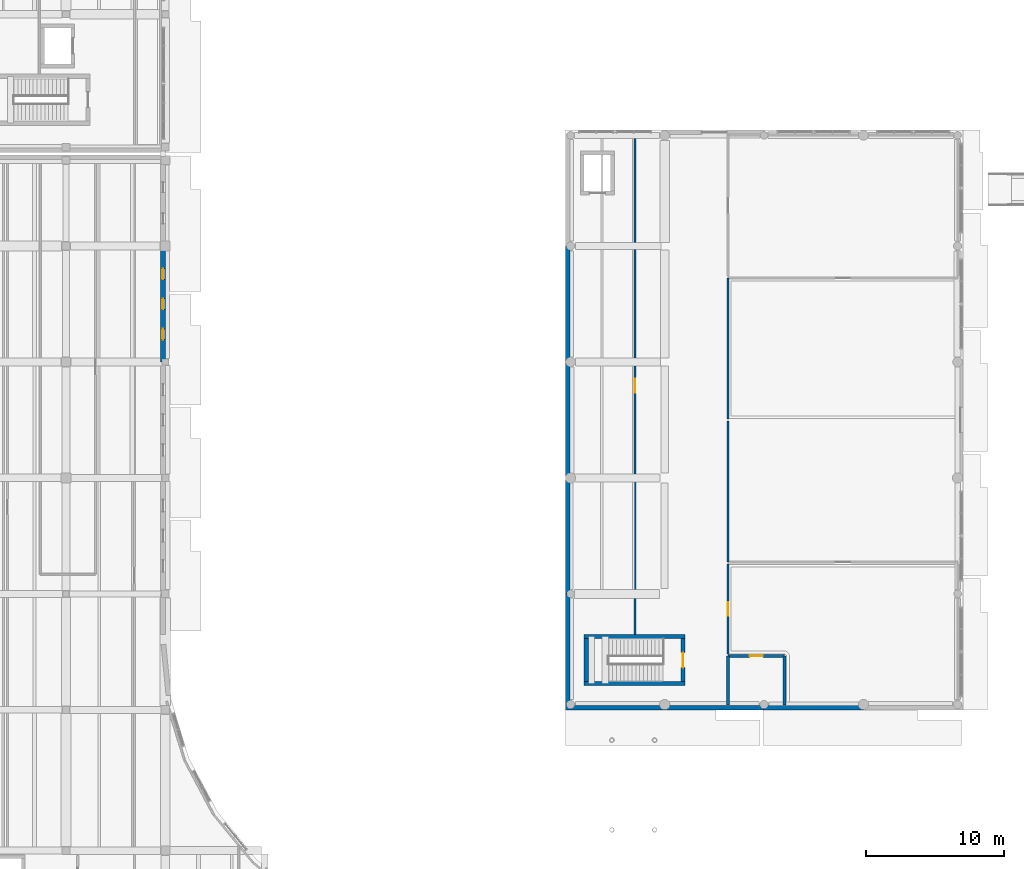
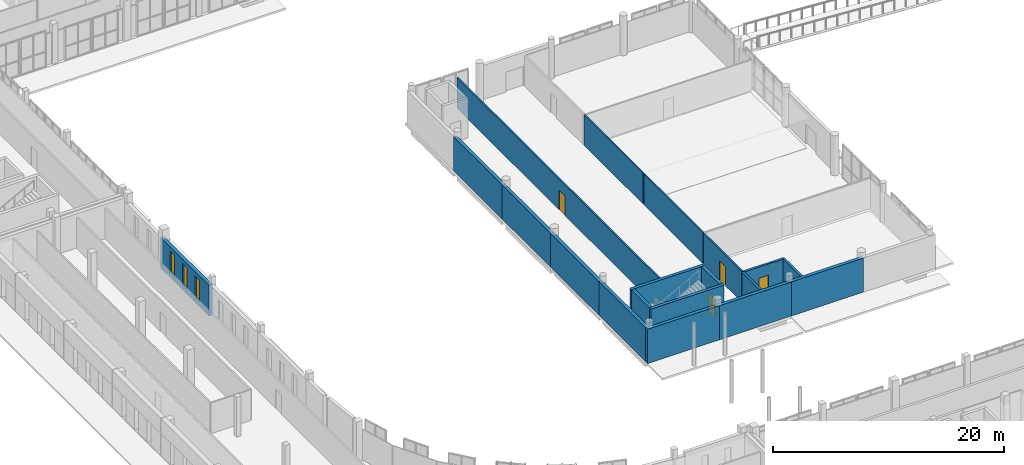
# One storey, part 52 of 77: 19 walls, 4 doors, 3 windows, 7 openings.
"""IFC4 building model written with IfcOpenShell, lengths in metres."""

from ifc_helpers import new_model, si_unit, direction, frame, frame_2d, origin, place, context, subcontext, project, spatial, rectangle, extrude, material, layer, layer_set, type_object, element, fill, save


model = new_model("IFC4")

# Units and contexts
model_context = context("Model", 3, precision=1e-05, world=origin(), true_north=direction((0.0, 1.0)))
body_context = subcontext(model_context, "Body", "Model", "MODEL_VIEW")
ifc_project = project(units=[si_unit("LENGTHUNIT", "METRE"), si_unit("AREAUNIT", "SQUARE_METRE"), si_unit("VOLUMEUNIT", "CUBIC_METRE"), si_unit("PLANEANGLEUNIT", "RADIAN"), si_unit("MASSUNIT", "GRAM", prefix="KILO")], contexts=[model_context])

# Site, building, storey
site_placement = place(None, origin())
site = spatial("IfcSite", under=ifc_project, at=site_placement, CompositionType="ELEMENT")
building_placement = place(site_placement, origin())
building = spatial("IfcBuilding", under=site, at=building_placement, Name="Vardoun Plaza Health Centre", CompositionType="ELEMENT")
storey_placement = place(building_placement, origin())
storey = spatial("IfcBuildingStorey", under=building, at=storey_placement, Name="L00", CompositionType="ELEMENT", Elevation=0.0)

# Walls
ifc_material_1 = material(Name="Concrete C40/50", Category="concrete")
ifc_layer_1 = layer(ifc_material_1, 0.300048828125)
ifc_layer_set_1 = layer_set([ifc_layer_1], Name="Concrete C40/50")
wall_type_1 = type_object("IfcWallType", Name="SW-01", PredefinedType="SHEAR", material=ifc_layer_set_1)
wall_1_placement = place(storey_placement, frame((56.550048828125, 38.199951171875, 0.0), z_axis=(0.0, 0.0, 1.0), x_axis=(-1.0, 0.0, 0.0)))
element("IfcWall", 1, at=wall_1_placement, inside=storey, type_object=wall_type_1, Name="Core C5 L00 Shear Wall S", PredefinedType="SHEAR", context=body_context, shape_type="SweptSolid", body=[
    extrude(rectangle(XDim=7.300048828125, YDim=0.300048828125, at=frame_2d((3.64990234375, 0.0))), origin(), (0.0, 0.0, 1.0), 4.219970703125),
])
wall_2_placement = place(storey_placement, frame((49.39990234375, 38.35009765625, 0.0), z_axis=(0.0, 0.0, 1.0), x_axis=(0.0, 1.0, 0.0)))
element("IfcWall", 2, at=wall_2_placement, inside=storey, type_object=wall_type_1, Name="Core C5 L00 Shear Wall W", PredefinedType="SHEAR", context=body_context, shape_type="SweptSolid", body=[
    extrude(rectangle(XDim=3.099853515625, YDim=0.300048828125, at=frame_2d((1.5498046875, 0.0))), origin(), (0.0, 0.0, 1.0), 4.219970703125),
])
wall_3_placement = place(storey_placement, frame((49.25, 41.60009765625, 0.0), z_axis=(0.0, 0.0, 1.0), x_axis=(1.0, 0.0, 0.0)))
element("IfcWall", 3, at=wall_3_placement, inside=storey, type_object=wall_type_1, Name="Core C5 L00 Shear Wall N", PredefinedType="SHEAR", context=body_context, shape_type="SweptSolid", body=[
    extrude(rectangle(XDim=7.300048828125, YDim=0.300048828125, at=frame_2d((3.64990234375, 0.0))), origin(), (0.0, 0.0, 1.0), 4.219970703125),
])

# Wall, opening, door
wall_4_placement = place(storey_placement, frame((56.39990234375, 41.449951171875, 0.0), z_axis=(0.0, 0.0, 1.0), x_axis=(0.0, -1.0, 0.0)))
wall_4 = element("IfcWall", 4, at=wall_4_placement, inside=storey, type_object=wall_type_1, Name="Core C5 L00 Shear Wall E", PredefinedType="SHEAR", context=body_context, shape_type="SweptSolid", body=[
    extrude(rectangle(XDim=3.099853515625, YDim=0.300048828125, at=frame_2d((1.5498046875, 0.0))), origin(), (0.0, 0.0, 1.0), 4.219970703125),
])
opening_1_placement = place(wall_4_placement, frame((1.0, 0.0, 0.0)))
opening_1 = element("IfcOpeningElement", 5, at=opening_1_placement, cuts=wall_4, Name="Opening SD-C5-L00", PredefinedType="OPENING", context=body_context, shape_type="SweptSolid", body=[
    extrude(rectangle(XDim=1.10009765625, YDim=2.050048828125, at=frame_2d((0.550048828125, 1.02490234375))), frame((0.0, 0.14990234375, 0.0), z_axis=(0.0, -1.0, 0.0), x_axis=(1.0, 0.0, 0.0)), (0.0, 0.0, 1.0), 0.300048828125),
])
ifc_material_2 = material(Name="Brushed Stainless Steel Grade 316L", Category="steel")
door_type_1 = type_object("IfcDoorType", Name="FD-01", OperationType="NOTDEFINED", PredefinedType="DOOR", material=ifc_material_2)
door_1_placement = place(opening_1_placement, origin())
door_1 = element("IfcDoor", 6, at=door_1_placement, inside=storey, type_object=door_type_1, Name="Stair C5 L00 Fire Door", OperationType="SINGLE_SWING_LEFT", OverallHeight=2.050048828125, OverallWidth=1.10009765625, PredefinedType="DOOR", context=body_context, shape_type="SweptSolid", body=[
    extrude(rectangle(XDim=1.10009765625, YDim=2.050048828125, at=frame_2d((0.550048828125, 1.02490234375))), frame((0.0, 0.02490234375, 0.0), z_axis=(0.0, -1.0, 0.0), x_axis=(1.0, 0.0, 0.0)), (0.0, 0.0, 1.0), 0.050048828125),
])
fill(opening_1, door_1)

# Walls
ifc_material_3 = material(Name="Pale Limestone Concrete C35/45", Category="masonry")
ifc_layer_2 = layer(ifc_material_3, 0.330078125)
ifc_layer_set_2 = layer_set([ifc_layer_2], Name="Pale Limestone Concrete C35/45")
wall_type_2 = type_object("IfcWallType", Name="EW-02", PredefinedType="SOLIDWALL", material=ifc_layer_set_2)
for number, where, z_axis, x_axis, name in (
    (7, (69.47998046875, 36.465087890625, 0.0), (0.0, 0.0, 1.0), (-1.0, 0.0, 0.0), "V1 L00 Exterior Wall EW-V1-022"),
    (8, (62.280029296875, 36.465087890625, 0.0), (0.0, 0.0, 1.0), (-1.0, 0.0, 0.0), "V1 L00 Exterior Wall EW-V1-023"),
):
    element("IfcWall", number, at=place(storey_placement, frame(where, z_axis=z_axis, x_axis=x_axis)), inside=storey, type_object=wall_type_2, Name=name, PredefinedType="SOLIDWALL", context=body_context, shape_type="SweptSolid", body=[
        extrude(rectangle(XDim=7.199951171875, YDim=0.330078125, at=frame_2d((3.60009765625, 0.0))), origin(), (0.0, 0.0, 1.0), 3.60498046875),
    ])
wall_5_placement = place(storey_placement, frame((55.080078125, 36.465087890625, 0.0), z_axis=(0.0, 0.0, 1.0), x_axis=(-1.0, 0.0, 0.0)))
element("IfcWall", 9, at=wall_5_placement, inside=storey, type_object=wall_type_2, Name="V1 L00 Exterior Wall EW-V1-024", PredefinedType="SOLIDWALL", context=body_context, shape_type="SweptSolid", body=[
    extrude(rectangle(XDim=7.2001953125, YDim=0.330078125, at=frame_2d((3.60009765625, 0.0))), origin(), (0.0, 0.0, 1.0), 3.625),
])
wall_6_placement = place(storey_placement, frame((48.044921875, 36.6298828125, 0.0), z_axis=(0.0, 0.0, 1.0), x_axis=(0.0, 1.0, 0.0)))
element("IfcWall", 10, at=wall_6_placement, inside=storey, type_object=wall_type_2, Name="V1 L00 Exterior Wall EW-V1-025", PredefinedType="SOLIDWALL", context=body_context, shape_type="SweptSolid", body=[
    extrude(rectangle(XDim=8.070068359375, YDim=0.330078125, at=frame_2d((4.03515625, 0.0))), origin(), (0.0, 0.0, 1.0), 3.5849609375),
])
wall_7_placement = place(storey_placement, frame((48.044921875, 44.699951171875, 0.0), z_axis=(0.0, 0.0, 1.0), x_axis=(0.0, 1.0, 0.0)))
element("IfcWall", 11, at=wall_7_placement, inside=storey, type_object=wall_type_2, Name="V1 L00 Exterior Wall EW-V1-026", PredefinedType="SOLIDWALL", context=body_context, shape_type="SweptSolid", body=[
    extrude(rectangle(XDim=8.400146484375, YDim=0.330078125, at=frame_2d((4.2001953125, 0.0))), origin(), (0.0, 0.0, 1.0), 3.5849609375),
])
wall_8_placement = place(storey_placement, frame((48.044921875, 53.10009765625, 0.0), z_axis=(0.0, 0.0, 1.0), x_axis=(0.0, 1.0, 0.0)))
element("IfcWall", 12, at=wall_8_placement, inside=storey, type_object=wall_type_2, Name="V1 L00 Exterior Wall EW-V1-027", PredefinedType="SOLIDWALL", context=body_context, shape_type="SweptSolid", body=[
    extrude(rectangle(XDim=8.39990234375, YDim=0.330078125, at=frame_2d((4.199951171875, 0.0))), origin(), (0.0, 0.0, 1.0), 3.60498046875),
])
wall_9_placement = place(storey_placement, frame((48.044921875, 61.5, 0.0), z_axis=(0.0, 0.0, 1.0), x_axis=(0.0, 1.0, 0.0)))
element("IfcWall", 13, at=wall_9_placement, inside=storey, type_object=wall_type_2, Name="V1 L00 Exterior Wall EW-V1-028", PredefinedType="SOLIDWALL", context=body_context, shape_type="SweptSolid", body=[
    extrude(rectangle(XDim=8.39990234375, YDim=0.330078125, at=frame_2d((4.199951171875, 0.0))), origin(), (0.0, 0.0, 1.0), 3.625),
])

# Wall, openings, windows
ifc_material_4 = material(Name="Pale Limestone Concrete C35/45", Category="masonry")
ifc_layer_3 = layer(ifc_material_4, 0.344970703125)
ifc_layer_set_3 = layer_set([ifc_layer_3], Name="Pale Limestone Concrete C35/45")
wall_type_3 = type_object("IfcWallType", Name="EW-01", PredefinedType="SOLIDWALL", material=ifc_layer_set_3)
wall_10_placement = place(storey_placement, frame((18.7275390625, 69.89990234375, 0.0), z_axis=(0.0, 0.0, 1.0), x_axis=(0.0, -1.0, 0.0)))
wall_10 = element("IfcWall", 14, at=wall_10_placement, inside=storey, type_object=wall_type_3, Name="V2 L00 Exterior Wall EW-V2-075", PredefinedType="SOLIDWALL", context=body_context, shape_type="SweptSolid", body=[
    extrude(rectangle(XDim=8.39990234375, YDim=0.344970703125, at=frame_2d((4.199951171875, 0.0))), origin(), (0.0, 0.0, 1.0), 3.2548828125),
])
opening_2_placement = place(wall_10_placement, frame((1.6259765625, 0.0, 0.550048828125)))
opening_2 = element("IfcOpeningElement", 15, at=opening_2_placement, cuts=wall_10, Name="Opening W-06-001", PredefinedType="OPENING", context=body_context, shape_type="SweptSolid", body=[
    extrude(rectangle(XDim=0.780029296875, YDim=2.25, at=frame_2d((0.39013671875, 1.125))), frame((0.0, 0.17236328125, 0.0), z_axis=(0.0, -1.0, 0.0), x_axis=(1.0, 0.0, 0.0)), (0.0, 0.0, 1.0), 0.344970703125),
])
opening_3_placement = place(wall_10_placement, frame((3.81005859375, 0.0, 0.550048828125)))
opening_3 = element("IfcOpeningElement", 16, at=opening_3_placement, cuts=wall_10, Name="Opening W-06-002", PredefinedType="OPENING", context=body_context, shape_type="SweptSolid", body=[
    extrude(rectangle(XDim=0.780029296875, YDim=2.25, at=frame_2d((0.39013671875, 1.125))), frame((0.0, 0.17236328125, 0.0), z_axis=(0.0, -1.0, 0.0), x_axis=(1.0, 0.0, 0.0)), (0.0, 0.0, 1.0), 0.344970703125),
])
opening_4_placement = place(wall_10_placement, frame((5.993896484375, 0.0, 0.550048828125)))
opening_4 = element("IfcOpeningElement", 17, at=opening_4_placement, cuts=wall_10, Name="Opening W-06-003", PredefinedType="OPENING", context=body_context, shape_type="SweptSolid", body=[
    extrude(rectangle(XDim=0.780029296875, YDim=2.25, at=frame_2d((0.39013671875, 1.125))), frame((0.0, 0.17236328125, 0.0), z_axis=(0.0, -1.0, 0.0), x_axis=(1.0, 0.0, 0.0)), (0.0, 0.0, 1.0), 0.344970703125),
])
ifc_material_5 = material(Name="Aluminium Alloy EN AW-6063-T6 and Low-E Glass", Category="aluminium")
window_type = type_object("IfcWindowType", Name="W-06", PartitioningType="SINGLE_PANEL", PredefinedType="WINDOW", material=ifc_material_5)
window_1_placement = place(opening_2_placement, origin())
window_1 = element("IfcWindow", 18, at=window_1_placement, inside=storey, type_object=window_type, Name="V2 L00 Deep-Punched Slot Window W-06-003", OverallHeight=2.25, OverallWidth=0.780029296875, PartitioningType="SINGLE_PANEL", PredefinedType="WINDOW", context=body_context, shape_type="SweptSolid", body=[
    extrude(rectangle(XDim=0.780029296875, YDim=2.25, at=frame_2d((0.39013671875, 1.125))), frame((0.0, 0.030029296875, 0.0), z_axis=(0.0, -1.0, 0.0), x_axis=(1.0, 0.0, 0.0)), (0.0, 0.0, 1.0), 0.06005859375),
])
fill(opening_2, window_1)
window_2_placement = place(opening_3_placement, origin())
window_2 = element("IfcWindow", 19, at=window_2_placement, inside=storey, type_object=window_type, Name="V2 L00 Deep-Punched Slot Window W-06-004", OverallHeight=2.25, OverallWidth=0.780029296875, PartitioningType="SINGLE_PANEL", PredefinedType="WINDOW", context=body_context, shape_type="SweptSolid", body=[
    extrude(rectangle(XDim=0.780029296875, YDim=2.25, at=frame_2d((0.39013671875, 1.125))), frame((0.0, 0.030029296875, 0.0), z_axis=(0.0, -1.0, 0.0), x_axis=(1.0, 0.0, 0.0)), (0.0, 0.0, 1.0), 0.06005859375),
])
fill(opening_3, window_2)
window_3_placement = place(opening_4_placement, origin())
window_3 = element("IfcWindow", 20, at=window_3_placement, inside=storey, type_object=window_type, Name="V2 L00 Deep-Punched Slot Window W-06-005", OverallHeight=2.25, OverallWidth=0.780029296875, PartitioningType="SINGLE_PANEL", PredefinedType="WINDOW", context=body_context, shape_type="SweptSolid", body=[
    extrude(rectangle(XDim=0.780029296875, YDim=2.25, at=frame_2d((0.39013671875, 1.125))), frame((0.0, 0.030029296875, 0.0), z_axis=(0.0, -1.0, 0.0), x_axis=(1.0, 0.0, 0.0)), (0.0, 0.0, 1.0), 0.06005859375),
])
fill(opening_4, window_3)

# Wall, opening, door
ifc_material_6 = material(Name="Acoustic Gypsum Twin-Stud", Category="steel")
ifc_layer_4 = layer(ifc_material_6, 0.14990234375)
ifc_layer_set_4 = layer_set([ifc_layer_4], Name="Acoustic Gypsum Twin-Stud")
wall_type_4 = type_object("IfcWallType", Name="IW-04", PredefinedType="PARTITIONING", material=ifc_layer_set_4)
wall_11_placement = place(storey_placement, frame((59.669921875, 40.3408203125, 0.0), z_axis=(0.0, 0.0, 1.0), x_axis=(0.0, 1.0, 0.0)))
wall_11 = element("IfcWall", 21, at=wall_11_placement, inside=storey, type_object=wall_type_4, Name="Patient Registration Desk Partition Wall", PredefinedType="PARTITIONING", context=body_context, shape_type="SweptSolid", body=[
    extrude(rectangle(XDim=6.51416015625, YDim=0.14990234375, at=frame_2d((3.257080078125, 0.0))), origin(), (0.0, 0.0, 1.0), 3.239990234375),
])
opening_5_placement = place(wall_11_placement, frame((2.757080078125, 0.0, 0.0)))
opening_5 = element("IfcOpeningElement", 22, at=opening_5_placement, cuts=wall_11, Name="Opening D-L00-010", PredefinedType="OPENING", context=body_context, shape_type="SweptSolid", body=[
    extrude(rectangle(XDim=1.0, YDim=2.050048828125, at=frame_2d((0.5, 1.02490234375))), frame((0.0, 0.074951171875, 0.0), z_axis=(0.0, -1.0, 0.0), x_axis=(1.0, 0.0, 0.0)), (0.0, 0.0, 1.0), 0.14990234375),
])
ifc_material_7 = material(Name="Antimicrobial Acoustic Timber and Steel S275JR", Category="steel")
door_type_2 = type_object("IfcDoorType", Name="CD-03", OperationType="NOTDEFINED", PredefinedType="DOOR", material=ifc_material_7)
door_2_placement = place(opening_5_placement, origin())
door_2 = element("IfcDoor", 23, at=door_2_placement, inside=storey, type_object=door_type_2, Name="Patient Registration Desk Door D-L00-010", OperationType="SINGLE_SWING_RIGHT", OverallHeight=2.050048828125, OverallWidth=1.0, PredefinedType="DOOR", context=body_context, shape_type="SweptSolid", body=[
    extrude(rectangle(XDim=1.0, YDim=2.050048828125, at=frame_2d((0.5, 1.02490234375))), frame((0.0, 0.02490234375, 0.0), z_axis=(0.0, -1.0, 0.0), x_axis=(1.0, 0.0, 0.0)), (0.0, 0.0, 1.0), 0.050048828125),
])
fill(opening_5, door_2)

wall_12_placement = place(storey_placement, frame((52.93994140625, 41.60009765625, 0.0), z_axis=(0.0, 0.0, 1.0), x_axis=(0.0, 1.0, 0.0)))
wall_12 = element("IfcWall", 24, at=wall_12_placement, inside=storey, type_object=wall_type_4, Name="Central Waiting Hall A Partition Wall", PredefinedType="PARTITIONING", context=body_context, shape_type="SweptSolid", body=[
    extrude(rectangle(XDim=36.349853515625, YDim=0.14990234375, at=frame_2d((18.1748046875, 0.0))), origin(), (0.0, 0.0, 1.0), 3.239990234375),
])
opening_6_placement = place(wall_12_placement, frame((17.655029296875, 0.0, 0.0)))
opening_6 = element("IfcOpeningElement", 25, at=opening_6_placement, cuts=wall_12, Name="Opening D-L00-011", PredefinedType="OPENING", context=body_context, shape_type="SweptSolid", body=[
    extrude(rectangle(XDim=1.0400390625, YDim=2.050048828125, at=frame_2d((0.52001953125, 1.02490234375))), frame((0.0, 0.074951171875, 0.0), z_axis=(0.0, -1.0, 0.0), x_axis=(1.0, 0.0, 0.0)), (0.0, 0.0, 1.0), 0.14990234375),
])
ifc_material_8 = material(Name="Antimicrobial Acoustic Timber and Steel S275JR", Category="steel")
door_type_3 = type_object("IfcDoorType", Name="CD-04", OperationType="NOTDEFINED", PredefinedType="DOOR", material=ifc_material_8)
door_3_placement = place(opening_6_placement, origin())
door_3 = element("IfcDoor", 26, at=door_3_placement, inside=storey, type_object=door_type_3, Name="Central Waiting Hall A Door D-L00-011", OperationType="SINGLE_SWING_LEFT", OverallHeight=2.050048828125, OverallWidth=1.0400390625, PredefinedType="DOOR", context=body_context, shape_type="SweptSolid", body=[
    extrude(rectangle(XDim=1.0400390625, YDim=2.050048828125, at=frame_2d((0.52001953125, 1.02490234375))), frame((0.0, 0.02490234375, 0.0), z_axis=(0.0, -1.0, 0.0), x_axis=(1.0, 0.0, 0.0)), (0.0, 0.0, 1.0), 0.050048828125),
])
fill(opening_6, door_3)

# Walls
ifc_material_9 = material(Name="Standard Clinical Sub-Partition", Category="steel")
ifc_layer_5 = layer(ifc_material_9, 0.125)
ifc_layer_set_5 = layer_set([ifc_layer_5], Name="Standard Clinical Sub-Partition")
wall_type_5 = type_object("IfcWallType", Name="IW-11", PredefinedType="PARTITIONING", material=ifc_layer_set_5)
for number, where, z_axis, x_axis, name in (
    (27, (59.669921875, 47.014892578125, 0.0), (0.0, 0.0, 1.0), (0.0, 1.0, 0.0), "Central Waiting Hall Enclosure Partition"),
    (28, (59.669921875, 57.3798828125, 0.0), (0.0, 0.0, 1.0), (0.0, 1.0, 0.0), "Urgent Care Triage Room 1 Enclosure Partition"),
):
    element("IfcWall", number, at=place(storey_placement, frame(where, z_axis=z_axis, x_axis=x_axis)), inside=storey, type_object=wall_type_5, Name=name, PredefinedType="PARTITIONING", context=body_context, shape_type="SweptSolid", body=[
        extrude(rectangle(XDim=10.205078125, YDim=0.125, at=frame_2d((5.1025390625, 0.0))), origin(), (0.0, 0.0, 1.0), 3.239990234375),
    ])

# Wall, opening, door
ifc_material_10 = material(Name="Moisture-Resistant Plumbing Chase", Category="steel")
ifc_layer_6 = layer(ifc_material_10, 0.215087890625)
ifc_layer_set_6 = layer_set([ifc_layer_6], Name="Moisture-Resistant Plumbing Chase")
wall_type_6 = type_object("IfcWallType", Name="IW-06", PredefinedType="PLUMBINGWALL", material=ifc_layer_set_6)
wall_13_placement = place(storey_placement, frame((59.669921875, 40.200927734375, 0.0), z_axis=(0.0, 0.0, 1.0), x_axis=(1.0, 0.0, 0.0)))
wall_13 = element("IfcWall", 29, at=wall_13_placement, inside=storey, type_object=wall_type_6, Name="Accessible WC L00-V1 Partition Wall", PredefinedType="PLUMBINGWALL", context=body_context, shape_type="SweptSolid", body=[
    extrude(rectangle(XDim=4.08349609375, YDim=0.215087890625, at=frame_2d((2.041748046875, 0.0))), origin(), (0.0, 0.0, 1.0), 3.239990234375),
])
opening_7_placement = place(wall_13_placement, frame((1.56689453125, 0.0, 0.0)))
opening_7 = element("IfcOpeningElement", 30, at=opening_7_placement, cuts=wall_13, Name="Opening D-L00-006", PredefinedType="OPENING", context=body_context, shape_type="SweptSolid", body=[
    extrude(rectangle(XDim=0.949951171875, YDim=2.050048828125, at=frame_2d((0.47509765625, 1.02490234375))), frame((0.0, 0.107421875, 0.0), z_axis=(0.0, -1.0, 0.0), x_axis=(1.0, 0.0, 0.0)), (0.0, 0.0, 1.0), 0.215087890625),
])
ifc_material_11 = material(Name="Antimicrobial Acoustic Timber and Steel S275JR", Category="steel")
door_type_4 = type_object("IfcDoorType", Name="CD-07", OperationType="NOTDEFINED", PredefinedType="DOOR", material=ifc_material_11)
door_4_placement = place(opening_7_placement, origin())
door_4 = element("IfcDoor", 31, at=door_4_placement, inside=storey, type_object=door_type_4, Name="Accessible WC L00-V1 Door D-L00-006", OperationType="SINGLE_SWING_RIGHT", OverallHeight=2.050048828125, OverallWidth=0.949951171875, PredefinedType="DOOR", context=body_context, shape_type="SweptSolid", body=[
    extrude(rectangle(XDim=0.949951171875, YDim=2.050048828125, at=frame_2d((0.47509765625, 1.02490234375))), frame((0.0, 0.02490234375, 0.0), z_axis=(0.0, -1.0, 0.0), x_axis=(1.0, 0.0, 0.0)), (0.0, 0.0, 1.0), 0.050048828125),
])
fill(opening_7, door_4)

# Walls
for number, where, z_axis, x_axis, name in (
    (32, (63.75341796875, 40.200927734375, 0.0), (0.0, 0.0, 1.0), (0.0, -1.0, 0.0), "Accessible WC L00-V1 Enclosure Partition"),
    (33, (59.669921875, 36.64990234375, 0.0), (0.0, 0.0, 1.0), (0.0, 1.0, 0.0), "Accessible WC L00-V1 Enclosure Partition"),
):
    element("IfcWall", number, at=place(storey_placement, frame(where, z_axis=z_axis, x_axis=x_axis)), inside=storey, type_object=wall_type_6, Name=name, PredefinedType="PLUMBINGWALL", context=body_context, shape_type="SweptSolid", body=[
        extrude(rectangle(XDim=3.551025390625, YDim=0.215087890625, at=frame_2d((1.775390625, 0.0))), origin(), (0.0, 0.0, 1.0), 3.239990234375),
    ])

save(model, "model.ifc")
